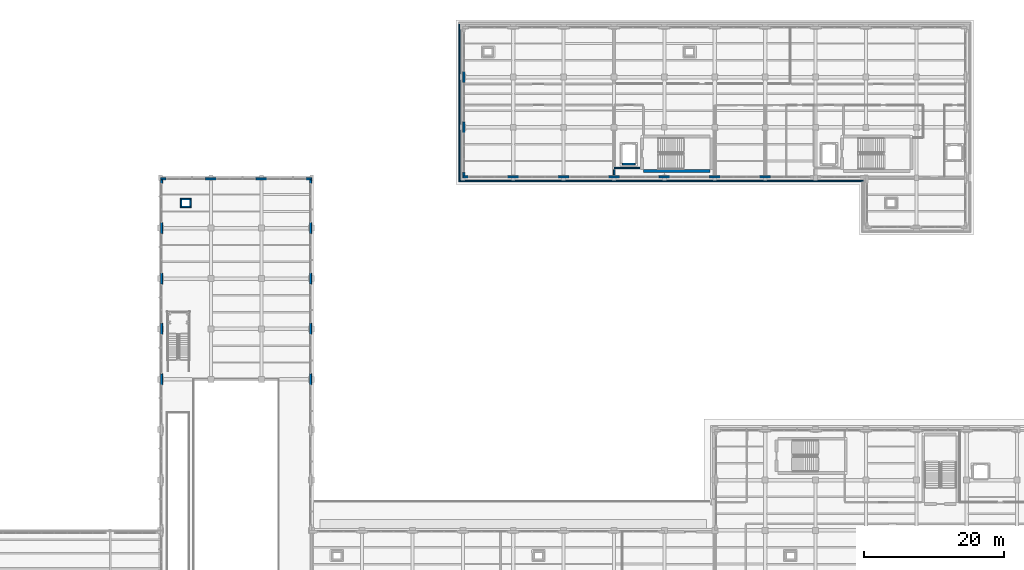
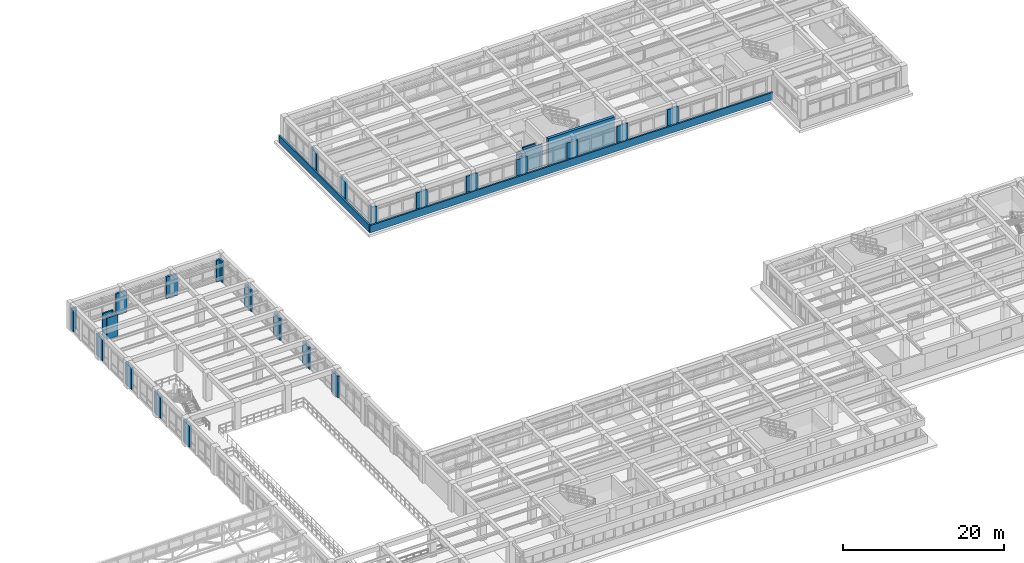
# One storey, part 85 of 98: 34 walls.
"""IFC4 building model written with IfcOpenShell, lengths in metres."""

from ifc_helpers import new_model, si_unit, direction, frame, frame_2d, origin, place, context, subcontext, project, spatial, rectangle, extrude, material, layer, layer_set, type_object, element, save


model = new_model("IFC4")

# Units and contexts
model_context = context("Model", 3, precision=1e-05, world=origin(), true_north=direction((0.0, 1.0)))
body_context = subcontext(model_context, "Body", "Model", "MODEL_VIEW")
ifc_project = project(units=[si_unit("LENGTHUNIT", "METRE"), si_unit("AREAUNIT", "SQUARE_METRE"), si_unit("VOLUMEUNIT", "CUBIC_METRE"), si_unit("PLANEANGLEUNIT", "RADIAN"), si_unit("MASSUNIT", "GRAM", prefix="KILO")], contexts=[model_context])

# Site, building, storey
site_placement = place(None, origin())
site = spatial("IfcSite", under=ifc_project, at=site_placement, CompositionType="ELEMENT")
building_placement = place(site_placement, origin())
building = spatial("IfcBuilding", under=site, at=building_placement, Name="Solenvale Faculty of Natural Sciences", CompositionType="ELEMENT")
storey_placement = place(building_placement, frame((0.0, 0.0, 9.0)))
storey = spatial("IfcBuildingStorey", under=building, at=storey_placement, Name="L02", CompositionType="ELEMENT", Elevation=9.0)

# Walls
ifc_material_1 = material(Name="Precast concrete 40 MPa", Category="concrete")
ifc_layer_1 = layer(ifc_material_1, 0.284912109375)
ifc_layer_set_1 = layer_set([ifc_layer_1], Name="Precast concrete 40 MPa")
wall_type_1 = type_object("IfcWallType", Name="WL-EXT-PRC-285", PredefinedType="STANDARD", material=ifc_layer_set_1)
wall_1_placement = place(storey_placement, frame((57.45751953125, 64.011962890625, 0.0), z_axis=(0.0, 0.0, 1.0), x_axis=(0.0, 1.0, 0.0)))
element("IfcWall", 1, at=wall_1_placement, inside=storey, type_object=wall_type_1, Name="L02 Facade Closure Pier 7.B3-R", PredefinedType="STANDARD", context=body_context, shape_type="SweptSolid", body=[
    extrude(rectangle(XDim=1.575927734375, YDim=0.284912109375, at=frame_2d((0.7880859375, 0.0))), origin(), (0.0, 0.0, 1.0), 3.260009765625),
])
wall_2_placement = place(storey_placement, frame((57.45751953125, 71.2119140625, 0.0), z_axis=(0.0, 0.0, 1.0), x_axis=(0.0, 1.0, 0.0)))
element("IfcWall", 2, at=wall_2_placement, inside=storey, type_object=wall_type_1, Name="L02 Facade Closure Pier 7.B4-R", PredefinedType="STANDARD", context=body_context, shape_type="SweptSolid", body=[
    extrude(rectangle(XDim=1.576171875, YDim=0.284912109375, at=frame_2d((0.7880859375, 0.0))), origin(), (0.0, 0.0, 1.0), 3.260009765625),
])
for number, where, z_axis, x_axis, name in (
    (3, (57.45751953125, 78.412109375, 0.0), (0.0, 0.0, 1.0), (0.0, 1.0, 0.0), "L02 Facade Closure Pier 7.B5-R"),
    (4, (57.45751953125, 85.612060546875, 0.0), (0.0, 0.0, 1.0), (0.0, 1.0, 0.0), "L02 Facade Closure Pier 7.B6-R"),
):
    element("IfcWall", number, at=place(storey_placement, frame(where, z_axis=z_axis, x_axis=x_axis)), inside=storey, type_object=wall_type_1, Name=name, PredefinedType="STANDARD", context=body_context, shape_type="SweptSolid", body=[
        extrude(rectangle(XDim=1.575927734375, YDim=0.284912109375, at=frame_2d((0.7880859375, 0.0))), origin(), (0.0, 0.0, 1.0), 3.260009765625),
    ])
wall_3_placement = place(storey_placement, frame((57.45751953125, 92.81201171875, 0.0), z_axis=(0.0, 0.0, 1.0), x_axis=(0.0, 1.0, 0.0)))
element("IfcWall", 5, at=wall_3_placement, inside=storey, type_object=wall_type_1, Name="L02 Facade Closure Pier 7.B7-R", PredefinedType="STANDARD", context=body_context, shape_type="SweptSolid", body=[
    extrude(rectangle(XDim=0.5029296875, YDim=0.284912109375, at=frame_2d((0.25146484375, 0.0))), origin(), (0.0, 0.0, 1.0), 3.260009765625),
])
wall_4_placement = place(storey_placement, frame((57.60009765625, 93.45751953125, 0.0), z_axis=(0.0, 0.0, 1.0), x_axis=(-1.0, 0.0, 0.0)))
element("IfcWall", 6, at=wall_4_placement, inside=storey, type_object=wall_type_1, Name="L02 Facade Closure Pier 8.B1-L", PredefinedType="STANDARD", context=body_context, shape_type="SweptSolid", body=[
    extrude(rectangle(XDim=0.7880859375, YDim=0.284912109375, at=frame_2d((0.39404296875, 0.0))), origin(), (0.0, 0.0, 1.0), 3.260009765625),
])
for number, where, z_axis, x_axis, name in (
    (7, (51.18798828125, 93.45751953125, 0.0), (0.0, 0.0, 1.0), (-1.0, 0.0, 0.0), "L02 Facade Closure Pier 8.B1-R"),
    (8, (43.988037109375, 93.45751953125, 0.0), (0.0, 0.0, 1.0), (-1.0, 0.0, 0.0), "L02 Facade Closure Pier 8.B2-R"),
):
    element("IfcWall", number, at=place(storey_placement, frame(where, z_axis=z_axis, x_axis=x_axis)), inside=storey, type_object=wall_type_1, Name=name, PredefinedType="STANDARD", context=body_context, shape_type="SweptSolid", body=[
        extrude(rectangle(XDim=1.575927734375, YDim=0.284912109375, at=frame_2d((0.7880859375, 0.0))), origin(), (0.0, 0.0, 1.0), 3.260009765625),
    ])
wall_5_placement = place(storey_placement, frame((36.7880859375, 93.45751953125, 0.0), z_axis=(0.0, 0.0, 1.0), x_axis=(-1.0, 0.0, 0.0)))
element("IfcWall", 9, at=wall_5_placement, inside=storey, type_object=wall_type_1, Name="L02 Facade Closure Pier 8.B3-R", PredefinedType="STANDARD", context=body_context, shape_type="SweptSolid", body=[
    extrude(rectangle(XDim=0.7880859375, YDim=0.284912109375, at=frame_2d((0.39404296875, 0.0))), origin(), (0.0, 0.0, 1.0), 3.260009765625),
])
wall_6_placement = place(storey_placement, frame((36.142578125, 93.31494140625, 0.0), z_axis=(0.0, 0.0, 1.0), x_axis=(0.0, -1.0, 0.0)))
element("IfcWall", 10, at=wall_6_placement, inside=storey, type_object=wall_type_1, Name="L02 Facade Closure Pier 9.B1-L", PredefinedType="STANDARD", context=body_context, shape_type="SweptSolid", body=[
    extrude(rectangle(XDim=0.5029296875, YDim=0.284912109375, at=frame_2d((0.25146484375, 0.0))), origin(), (0.0, 0.0, 1.0), 3.260009765625),
])
for number, where, z_axis, x_axis, name in (
    (11, (36.142578125, 87.18798828125, 0.0), (0.0, 0.0, 1.0), (0.0, -1.0, 0.0), "L02 Facade Closure Pier 9.B1-R"),
    (12, (36.142578125, 79.988037109375, 0.0), (0.0, 0.0, 1.0), (0.0, -1.0, 0.0), "L02 Facade Closure Pier 9.B2-R"),
):
    element("IfcWall", number, at=place(storey_placement, frame(where, z_axis=z_axis, x_axis=x_axis)), inside=storey, type_object=wall_type_1, Name=name, PredefinedType="STANDARD", context=body_context, shape_type="SweptSolid", body=[
        extrude(rectangle(XDim=1.575927734375, YDim=0.284912109375, at=frame_2d((0.7880859375, 0.0))), origin(), (0.0, 0.0, 1.0), 3.260009765625),
    ])
wall_7_placement = place(storey_placement, frame((36.142578125, 72.7880859375, 0.0), z_axis=(0.0, 0.0, 1.0), x_axis=(0.0, -1.0, 0.0)))
element("IfcWall", 13, at=wall_7_placement, inside=storey, type_object=wall_type_1, Name="L02 Facade Closure Pier 9.B3-R", PredefinedType="STANDARD", context=body_context, shape_type="SweptSolid", body=[
    extrude(rectangle(XDim=1.576171875, YDim=0.284912109375, at=frame_2d((0.7880859375, 0.0))), origin(), (0.0, 0.0, 1.0), 3.260009765625),
])
wall_8_placement = place(storey_placement, frame((36.142578125, 65.587890625, 0.0), z_axis=(0.0, 0.0, 1.0), x_axis=(0.0, -1.0, 0.0)))
element("IfcWall", 14, at=wall_8_placement, inside=storey, type_object=wall_type_1, Name="L02 Facade Closure Pier 9.B4-R", PredefinedType="STANDARD", context=body_context, shape_type="SweptSolid", body=[
    extrude(rectangle(XDim=1.575927734375, YDim=0.284912109375, at=frame_2d((0.7880859375, 0.0))), origin(), (0.0, 0.0, 1.0), 3.260009765625),
])
wall_9_placement = place(storey_placement, frame((79.342529296875, 108.7880859375, 0.0), z_axis=(0.0, 0.0, 1.0), x_axis=(0.0, -1.0, 0.0)))
element("IfcWall", 15, at=wall_9_placement, inside=storey, type_object=wall_type_1, Name="L02 Facade Closure Pier 5.B1-R", PredefinedType="STANDARD", context=body_context, shape_type="SweptSolid", body=[
    extrude(rectangle(XDim=1.576171875, YDim=0.284912109375, at=frame_2d((0.7880859375, 0.0))), origin(), (0.0, 0.0, 1.0), 3.260009765625),
])
wall_10_placement = place(storey_placement, frame((79.342529296875, 101.587890625, 0.0), z_axis=(0.0, 0.0, 1.0), x_axis=(0.0, -1.0, 0.0)))
element("IfcWall", 16, at=wall_10_placement, inside=storey, type_object=wall_type_1, Name="L02 Facade Closure Pier 5.B2-R", PredefinedType="STANDARD", context=body_context, shape_type="SweptSolid", body=[
    extrude(rectangle(XDim=1.575927734375, YDim=0.284912109375, at=frame_2d((0.7880859375, 0.0))), origin(), (0.0, 0.0, 1.0), 3.260009765625),
])
wall_11_placement = place(storey_placement, frame((79.342529296875, 94.387939453125, 0.0), z_axis=(0.0, 0.0, 1.0), x_axis=(0.0, -1.0, 0.0)))
element("IfcWall", 17, at=wall_11_placement, inside=storey, type_object=wall_type_1, Name="L02 Facade Closure Pier 5.B3-R", PredefinedType="STANDARD", context=body_context, shape_type="SweptSolid", body=[
    extrude(rectangle(XDim=0.5029296875, YDim=0.284912109375, at=frame_2d((0.25146484375, 0.0))), origin(), (0.0, 0.0, 1.0), 3.260009765625),
])
wall_12_placement = place(storey_placement, frame((79.199951171875, 93.742431640625, 0.0), z_axis=(0.0, 0.0, 1.0), x_axis=(1.0, 0.0, 0.0)))
element("IfcWall", 18, at=wall_12_placement, inside=storey, type_object=wall_type_1, Name="L02 Facade Closure Pier 6.B1-L", PredefinedType="STANDARD", context=body_context, shape_type="SweptSolid", body=[
    extrude(rectangle(XDim=0.7880859375, YDim=0.284912109375, at=frame_2d((0.39404296875, 0.0))), origin(), (0.0, 0.0, 1.0), 3.260009765625),
])
for number, where, z_axis, x_axis, name in (
    (19, (85.612060546875, 93.742431640625, 0.0), (0.0, 0.0, 1.0), (1.0, 0.0, 0.0), "L02 Facade Closure Pier 6.B1-R"),
    (20, (92.81201171875, 93.742431640625, 0.0), (0.0, 0.0, 1.0), (1.0, 0.0, 0.0), "L02 Facade Closure Pier 6.B2-R"),
    (21, (100.011962890625, 93.742431640625, 0.0), (0.0, 0.0, 1.0), (1.0, 0.0, 0.0), "L02 Facade Closure Pier 6.B3-R"),
):
    element("IfcWall", number, at=place(storey_placement, frame(where, z_axis=z_axis, x_axis=x_axis)), inside=storey, type_object=wall_type_1, Name=name, PredefinedType="STANDARD", context=body_context, shape_type="SweptSolid", body=[
        extrude(rectangle(XDim=1.575927734375, YDim=0.284912109375, at=frame_2d((0.7880859375, 0.0))), origin(), (0.0, 0.0, 1.0), 3.260009765625),
    ])
wall_13_placement = place(storey_placement, frame((107.2119140625, 93.742431640625, 0.0), z_axis=(0.0, 0.0, 1.0), x_axis=(1.0, 0.0, 0.0)))
element("IfcWall", 22, at=wall_13_placement, inside=storey, type_object=wall_type_1, Name="L02 Facade Closure Pier 6.B4-R", PredefinedType="STANDARD", context=body_context, shape_type="SweptSolid", body=[
    extrude(rectangle(XDim=1.576171875, YDim=0.284912109375, at=frame_2d((0.7880859375, 0.0))), origin(), (0.0, 0.0, 1.0), 3.260009765625),
])
for number, where, z_axis, x_axis, name in (
    (23, (114.412109375, 93.742431640625, 0.0), (0.0, 0.0, 1.0), (1.0, 0.0, 0.0), "L02 Facade Closure Pier 6.B5-R"),
    (24, (121.612060546875, 93.742431640625, 0.0), (0.0, 0.0, 1.0), (1.0, 0.0, 0.0), "L02 Facade Closure Pier 6.B6-R"),
):
    element("IfcWall", number, at=place(storey_placement, frame(where, z_axis=z_axis, x_axis=x_axis)), inside=storey, type_object=wall_type_1, Name=name, PredefinedType="STANDARD", context=body_context, shape_type="SweptSolid", body=[
        extrude(rectangle(XDim=1.575927734375, YDim=0.284912109375, at=frame_2d((0.7880859375, 0.0))), origin(), (0.0, 0.0, 1.0), 3.260009765625),
    ])
ifc_material_2 = material(Name="Gypsum fire-rated shaftwall")
ifc_layer_2 = layer(ifc_material_2, 0.205078125)
ifc_layer_set_2 = layer_set([ifc_layer_2], Name="Gypsum fire-rated shaftwall")
wall_type_2 = type_object("IfcWallType", Name="WL-FFL-205", PredefinedType="PARTITIONING", material=ifc_layer_set_2)
wall_14_placement = place(storey_placement, frame((104.47509765625, 95.0, 0.0), z_axis=(0.0, 0.0, 1.0), x_axis=(-1.0, 0.0, 0.0)))
element("IfcWall", 25, at=wall_14_placement, inside=storey, type_object=wall_type_2, Name="L02 Firefighting Lobby C4 Partition 20", PredefinedType="PARTITIONING", context=body_context, shape_type="SweptSolid", body=[
    extrude(rectangle(XDim=3.675048828125, YDim=0.205078125, at=frame_2d((1.83740234375, 0.0))), origin(), (0.0, 0.0, 1.0), 3.260009765625),
])
ifc_material_3 = material(Name="Gypsum fire-rated laboratory partition")
ifc_layer_3 = layer(ifc_material_3, 0.2119140625)
ifc_layer_set_3 = layer_set([ifc_layer_3], Name="Gypsum fire-rated laboratory partition")
wall_type_3 = type_object("IfcWallType", Name="WL-LAB-212", PredefinedType="PARTITIONING", material=ifc_layer_set_3)
wall_15_placement = place(storey_placement, frame((100.800048828125, 94.779052734375, 0.0), z_axis=(0.0, 0.0, 1.0), x_axis=(0.0, -1.0, 0.0)))
element("IfcWall", 26, at=wall_15_placement, inside=storey, type_object=wall_type_3, Name="L02 Earth Sciences Teaching Laboratory Partition 20", PredefinedType="PARTITIONING", context=body_context, shape_type="SweptSolid", body=[
    extrude(rectangle(XDim=0.776123046875, YDim=0.2119140625, at=frame_2d((0.38818359375, 0.0))), origin(), (0.0, 0.0, 1.0), 3.260009765625),
])
ifc_material_4 = material(Name="Architectural bronze concrete 40 MPa", Category="concrete")
ifc_layer_4 = layer(ifc_material_4, 0.239990234375)
ifc_layer_set_4 = layer_set([ifc_layer_4], Name="Architectural bronze concrete 40 MPa")
wall_type_4 = type_object("IfcWallType", Name="WL-PAR-BRZ-240", PredefinedType="PARAPET", material=ifc_layer_set_4)
wall_16_placement = place(storey_placement, frame((78.719970703125, 93.239990234375, 0.0), z_axis=(0.0, 0.0, 1.0), x_axis=(0.0, 1.0, 0.0)))
element("IfcWall", 27, at=wall_16_placement, inside=storey, type_object=wall_type_4, Name="L02 Tower Horizontal Concrete Band 8", PredefinedType="PARAPET", context=body_context, shape_type="SweptSolid", body=[
    extrude(rectangle(XDim=22.320068359375, YDim=0.239990234375, at=frame_2d((11.16015625, 0.0))), origin(), (0.0, 0.0, 1.0), 1.1201171875),
])
wall_17_placement = place(storey_placement, frame((136.43994140625, 93.1201171875, 0.0), z_axis=(0.0, 0.0, 1.0), x_axis=(-1.0, 0.0, 0.0)))
element("IfcWall", 28, at=wall_17_placement, inside=storey, type_object=wall_type_4, Name="L02 Tower Horizontal Concrete Band 14", PredefinedType="PARAPET", context=body_context, shape_type="SweptSolid", body=[
    extrude(rectangle(XDim=57.83984375, YDim=0.239990234375, at=frame_2d((28.919921875, 0.0))), origin(), (0.0, 0.0, 1.0), 1.1201171875),
])
ifc_material_5 = material(Name="Concrete 40 MPa", Category="concrete")
ifc_layer_5 = layer(ifc_material_5, 0.219970703125)
ifc_layer_set_5 = layer_set([ifc_layer_5], Name="Concrete 40 MPa")
wall_type_5 = type_object("IfcWallType", Name="WL-SHF-220", PredefinedType="STANDARD", material=ifc_layer_set_5)
wall_18_placement = place(storey_placement, frame((101.97998046875, 95.570068359375, 0.0), z_axis=(0.0, 0.0, 1.0), x_axis=(1.0, 0.0, 0.0)))
element("IfcWall", 29, at=wall_18_placement, inside=storey, type_object=wall_type_5, Name="Elevator LF-01 L02 Shaft Wall S", PredefinedType="STANDARD", context=body_context, shape_type="SweptSolid", body=[
    extrude(rectangle(XDim=1.840087890625, YDim=0.219970703125, at=frame_2d((0.919921875, 0.0))), origin(), (0.0, 0.0, 1.0), 3.260009765625),
])
for number, where, z_axis, x_axis, name in (
    (30, (38.830078125, 89.43994140625, 0.0), (0.0, 0.0, 1.0), (1.0, 0.0, 0.0), "L02 Service Riser Shaft 1 Wall S"),
    (31, (38.830078125, 90.56005859375, 0.0), (0.0, 0.0, 1.0), (1.0, 0.0, 0.0), "L02 Service Riser Shaft 1 Wall N"),
):
    element("IfcWall", number, at=place(storey_placement, frame(where, z_axis=z_axis, x_axis=x_axis)), inside=storey, type_object=wall_type_5, Name=name, PredefinedType="STANDARD", context=body_context, shape_type="SweptSolid", body=[
        extrude(rectangle(XDim=1.5400390625, YDim=0.219970703125, at=frame_2d((0.77001953125, 0.0))), origin(), (0.0, 0.0, 1.0), 3.260009765625),
    ])
for number, where, z_axis, x_axis, name in (
    (32, (38.93994140625, 89.550048828125, 0.0), (0.0, 0.0, 1.0), (0.0, 1.0, 0.0), "L02 Service Riser Shaft 1 Wall W"),
    (33, (40.260009765625, 89.550048828125, 0.0), (0.0, 0.0, 1.0), (0.0, 1.0, 0.0), "L02 Service Riser Shaft 1 Wall E"),
):
    element("IfcWall", number, at=place(storey_placement, frame(where, z_axis=z_axis, x_axis=x_axis)), inside=storey, type_object=wall_type_5, Name=name, PredefinedType="STANDARD", context=body_context, shape_type="SweptSolid", body=[
        extrude(rectangle(XDim=0.89990234375, YDim=0.219970703125, at=frame_2d((0.449951171875, 0.0))), origin(), (0.0, 0.0, 1.0), 3.260009765625),
    ])
ifc_material_6 = material(Name="Concrete 50 MPa", Category="concrete")
ifc_layer_6 = layer(ifc_material_6, 0.409912109375)
ifc_layer_set_6 = layer_set([ifc_layer_6], Name="Concrete 50 MPa")
wall_type_6 = type_object("IfcWallType", Name="WL-SHR-410", PredefinedType="SHEAR", material=ifc_layer_set_6)
wall_19_placement = place(storey_placement, frame((105.0, 94.594970703125, 0.0), z_axis=(0.0, 0.0, 1.0), x_axis=(1.0, 0.0, 0.0)))
element("IfcWall", 34, at=wall_19_placement, inside=storey, type_object=wall_type_6, Name="Core C4 L02 Shear Wall S", PredefinedType="SHEAR", context=body_context, shape_type="SweptSolid", body=[
    extrude(rectangle(XDim=9.5, YDim=0.409912109375, at=frame_2d((4.75, 0.0))), origin(), (0.0, 0.0, 1.0), 4.219970703125),
])

save(model, "model.ifc")
